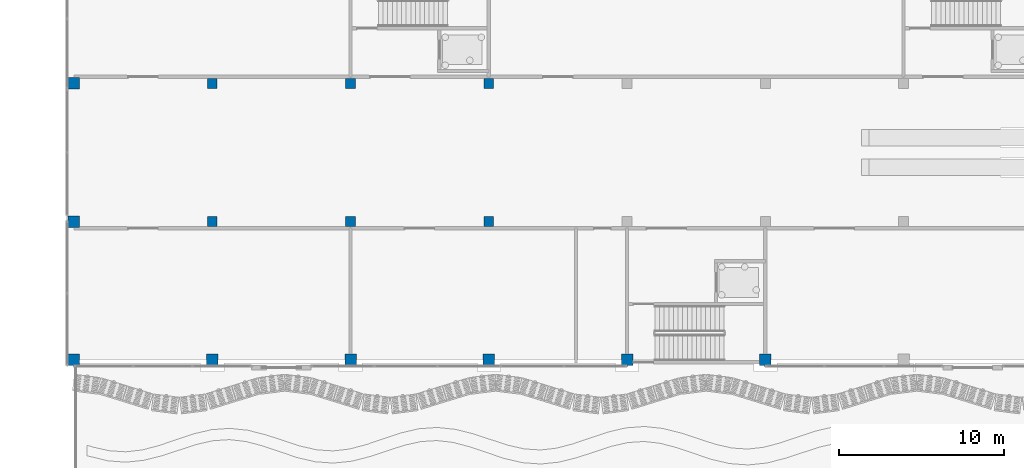
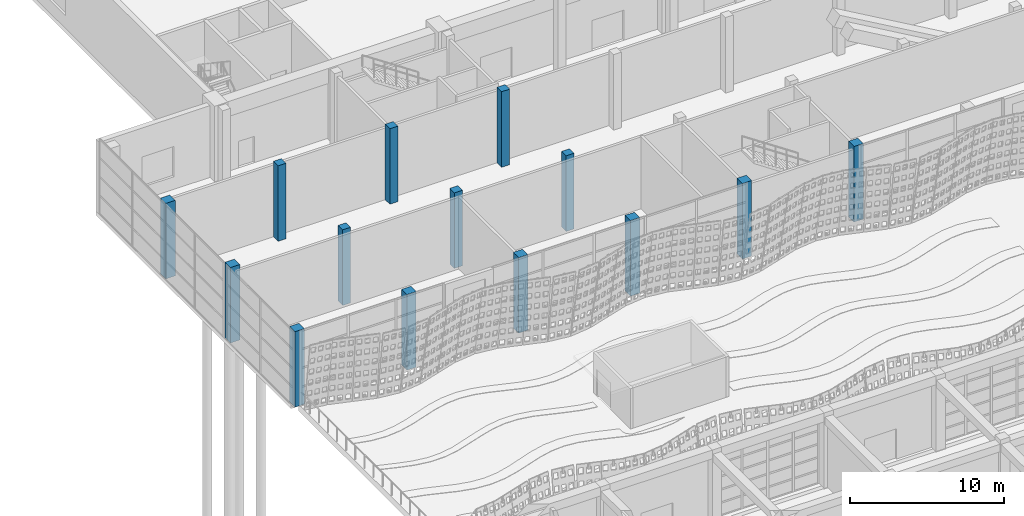
# One storey, part 8 of 210: 14 columns.
"""IFC4 building model written with IfcOpenShell, lengths in metres."""

import ifcopenshell
import ifcopenshell.guid

model = None  # the IFC model being written
_history = None  # IfcOwnerHistory: only IFC2X3 demands one
_inside = {}  # id of a spatial element -> (the spatial element, [elements in it])
_under = {}  # id of a project, library or spatial element -> (it, [spatial elements below it])
_declared = {}  # id of a project -> (the project, [libraries it declares])
_typed = {}  # id of a type object -> (the type object, [elements of that type])
_made_of = {}  # id of a material, layer set ... -> (it, [elements and type objects made of it])


def new_model(schema):
    """Start an empty IFC model of exactly this schema.

    Asked for "IFC4X3", IfcOpenShell would pick the latest addendum, in which some entities
    have other attributes; the version numbers below select the first issue.
    IFC2X3 requires an IfcOwnerHistory on every rooted entity: one is made here for all.
    """
    global model, _history
    if schema == "IFC4X3":
        model = ifcopenshell.file(schema_version=(4, 3, 0, 0))
    else:
        model = ifcopenshell.file(schema=schema)
    _inside.clear()
    _under.clear()
    _declared.clear()
    _typed.clear()
    _made_of.clear()
    _history = None
    if model.schema == "IFC2X3":
        org = make("IfcOrganization", Name="unknown")
        user = make(
            "IfcPersonAndOrganization",
            ThePerson=make("IfcPerson", FamilyName="unknown"),
            TheOrganization=org,
        )
        app = make(
            "IfcApplication",
            ApplicationDeveloper=org,
            Version="unknown",
            ApplicationFullName="unknown",
            ApplicationIdentifier="unknown",
        )
        _history = make(
            "IfcOwnerHistory",
            OwningUser=user,
            OwningApplication=app,
            ChangeAction="ADDED",
            CreationDate=0,
        )
    return model


def make(cls, **values):
    """One entity of the class cls with the attributes given. An attribute that is None is left unset."""
    return model.create_entity(
        cls, **{name: value for name, value in values.items() if value is not None}
    )


def rooted(cls, **values):
    """An entity with a GlobalId (a new one), such as an element, a storey or a relation."""
    return make(cls, GlobalId=ifcopenshell.guid.new(), OwnerHistory=_history, **values)


def si_unit(unit_type, name, prefix=None):
    """IfcSIUnit, for example si_unit("LENGTHUNIT", "METRE", prefix="MILLI")."""
    return make("IfcSIUnit", UnitType=unit_type, Prefix=prefix, Name=name)


def assignment(units):
    """IfcUnitAssignment: the units of a project."""
    return None if units is None else make("IfcUnitAssignment", Units=units)


def point(xyz):
    """IfcCartesianPoint."""
    return None if xyz is None else make("IfcCartesianPoint", Coordinates=xyz)


def direction(xyz):
    """IfcDirection."""
    return None if xyz is None else make("IfcDirection", DirectionRatios=xyz)


def frame(location, z_axis=None, x_axis=None):
    """IfcAxis2Placement3D, a coordinate frame: its origin and axes. An axis left out is left unset."""
    return make(
        "IfcAxis2Placement3D",
        Location=point(location),
        Axis=direction(z_axis),
        RefDirection=direction(x_axis),
    )


def frame_2d(location, x_axis=None):
    """IfcAxis2Placement2D, a coordinate frame in the plane: its origin and x axis."""
    return make(
        "IfcAxis2Placement2D", Location=point(location), RefDirection=direction(x_axis)
    )


def origin():
    """The frame at (0, 0, 0) with its axes left unset."""
    return frame((0.0, 0.0, 0.0))


def origin_2d():
    """The frame at (0, 0) in the plane with its x axis left unset."""
    return frame_2d((0.0, 0.0))


def place(relative_to, where):
    """IfcLocalPlacement: puts the frame where relative to a parent placement (None: the world)."""
    return make(
        "IfcLocalPlacement", PlacementRelTo=relative_to, RelativePlacement=where
    )


def context(
    kind, dimensions, precision=None, world=None, true_north=None, identifier=None
):
    """IfcGeometricRepresentationContext, for example the 3D "Model" context."""
    return make(
        "IfcGeometricRepresentationContext",
        ContextIdentifier=identifier,
        ContextType=kind,
        CoordinateSpaceDimension=dimensions,
        Precision=precision,
        WorldCoordinateSystem=world,
        TrueNorth=true_north,
    )


def subcontext(parent, identifier, kind, view, scale=None):
    """IfcGeometricRepresentationSubContext, for example "Body" below "Model"."""
    return make(
        "IfcGeometricRepresentationSubContext",
        ContextIdentifier=identifier,
        ContextType=kind,
        ParentContext=parent,
        TargetScale=scale,
        TargetView=view,
    )


def project(units=None, contexts=None):
    """IfcProject with its units and contexts."""
    return rooted(
        "IfcProject",
        Name="project",
        RepresentationContexts=contexts,
        UnitsInContext=assignment(units),
    )


def spatial(cls, under=None, at=None, **own):
    """A site, building, storey or space (cls), placed at a placement, below another one or the project."""
    s = rooted(cls, ObjectPlacement=at, **own)
    if under is not None:
        _under.setdefault(under.id(), (under, []))[1].append(s)
    return s


def profile(cls, at=None, kind="AREA", **sizes):
    """A parametric profile (cls). Its sizes go by their IFC names, for example OverallWidth=200.0."""
    return make(cls, ProfileType=kind, Position=at, **sizes)


def rectangle(**sizes):
    """IfcRectangleProfileDef."""
    return profile("IfcRectangleProfileDef", **sizes)


def extrude(swept, where, along, depth):
    """IfcExtrudedAreaSolid: the profile swept, set in the frame where, extruded along a direction by depth."""
    return make(
        "IfcExtrudedAreaSolid",
        SweptArea=swept,
        Position=where,
        ExtrudedDirection=direction(along),
        Depth=depth,
    )


def shape(context_of_items, identifier, shape_type, items):
    """IfcShapeRepresentation: the items that make up one representation, for example the "Body"."""
    return make(
        "IfcShapeRepresentation",
        ContextOfItems=context_of_items,
        RepresentationIdentifier=identifier,
        RepresentationType=shape_type,
        Items=items,
    )


def material(Name=None, Category=None):
    """IfcMaterial."""
    return make("IfcMaterial", Name=Name, Category=Category)


def material_profile(
    of_material, cross_section, Name=None, Category=None, Priority=None
):
    """IfcMaterialProfile: a cross section and its material."""
    return make(
        "IfcMaterialProfile",
        Name=Name,
        Material=of_material,
        Profile=cross_section,
        Priority=Priority,
        Category=Category,
    )


def profile_set(profiles, Name=None, composite=None):
    """IfcMaterialProfileSet."""
    return make(
        "IfcMaterialProfileSet",
        Name=Name,
        MaterialProfiles=profiles,
        CompositeProfile=composite,
    )


def made_of(thing, what):
    """Note that an element or type object is made of a material, layer set ...; save() writes the relation."""
    if what is not None:
        _made_of.setdefault(what.id(), (what, []))[1].append(thing)
    return thing


def type_object(cls, material=None, **own):
    """A type object (cls), such as IfcWallType, which elements share."""
    return made_of(rooted(cls, **own), material)


def element(
    cls,
    number,
    at=None,
    inside=None,
    cuts=None,
    type_object=None,
    material=None,
    context=None,
    identifier="Body",
    shape_type=None,
    held_by="IfcProductDefinitionShape",
    body=None,
    shapes=None,
    **own,
):
    """One element of the class cls, such as IfcWall. Its Tag is "e" and its number.

    at: its placement. inside: the storey or other place that contains it. cuts: it is an
    opening in that element (IfcRelVoidsElement). A single representation is given by context,
    identifier, shape_type and body (its items); several are given by shapes. held_by: the class
    of the entity that holds the representations. save() writes the other relations.
    """
    e = rooted(cls, Tag="e%d" % number, ObjectPlacement=at, **own)
    if body is not None:
        shapes = [shape(context, identifier, shape_type, body)]
    if shapes is not None:
        e.Representation = make(held_by, Representations=shapes)
    if inside is not None:
        _inside.setdefault(inside.id(), (inside, []))[1].append(e)
    if cuts is not None:
        rooted(
            "IfcRelVoidsElement", RelatingBuildingElement=cuts, RelatedOpeningElement=e
        )
    if type_object is not None:
        _typed.setdefault(type_object.id(), (type_object, []))[1].append(e)
    return made_of(e, material)


def aggregate(whole, parts):
    """IfcRelAggregates: a whole, such as a stair, and the parts it consists of."""
    return rooted("IfcRelAggregates", RelatingObject=whole, RelatedObjects=parts)


def save(model, path):
    """Write the relations noted so far, then the file.

    IfcRelAggregates (storeys below a building ...), IfcRelContainedInSpatialStructure (elements
    in a storey), IfcRelDefinesByType, IfcRelAssociatesMaterial and IfcRelDeclares: one each for
    every whole, place, type object, material and project.
    """
    for whole, parts in _under.values():
        aggregate(whole, parts)
    for where, things in _inside.values():
        rooted(
            "IfcRelContainedInSpatialStructure",
            RelatedElements=things,
            RelatingStructure=where,
        )
    for kind, things in _typed.values():
        rooted("IfcRelDefinesByType", RelatedObjects=things, RelatingType=kind)
    for what, things in _made_of.values():
        rooted("IfcRelAssociatesMaterial", RelatedObjects=things, RelatingMaterial=what)
    for by, libraries in _declared.values():
        rooted("IfcRelDeclares", RelatingContext=by, RelatedDefinitions=libraries)
    model.write(path)


model = new_model("IFC4")

# Units and contexts
model_context = context("Model", 3, precision=1e-05, world=origin(), true_north=direction((0.0, 1.0)))
body_context = subcontext(model_context, "Body", "Model", "MODEL_VIEW")
ifc_project = project(units=[si_unit("LENGTHUNIT", "METRE"), si_unit("AREAUNIT", "SQUARE_METRE"), si_unit("VOLUMEUNIT", "CUBIC_METRE"), si_unit("PLANEANGLEUNIT", "RADIAN"), si_unit("MASSUNIT", "GRAM", prefix="KILO")], contexts=[model_context])

# Site, building, storey
site_placement = place(None, origin())
site = spatial("IfcSite", under=ifc_project, at=site_placement, CompositionType="ELEMENT")
building_placement = place(site_placement, origin())
building = spatial("IfcBuilding", under=site, at=building_placement, Name="Rain Tree Exposition and Congress Centre", CompositionType="ELEMENT")
storey_placement = place(building_placement, origin())
storey = spatial("IfcBuildingStorey", under=building, at=storey_placement, Name="L00", CompositionType="ELEMENT", Elevation=0.0)

# Columns
ifc_material_1 = material(Name="Precast concrete C50/60", Category="concrete")
ifc_material_profile_1 = material_profile(ifc_material_1, rectangle(XDim=0.60009765625, YDim=0.60009765625, at=origin_2d()), Name="RC 600x600")
ifc_profile_set_1 = profile_set([ifc_material_profile_1], Name="Precast concrete C50/60")
column_type_1 = type_object("IfcColumnType", Name="Precast column 600x600", PredefinedType="COLUMN", material=ifc_profile_set_1)
for number, where, z_axis, x_axis, name in (
    (1, (8.39990234375, 84.0, 0.0), (0.0, 0.0, 1.0), (1.0, 0.0, 0.0), "Concourse column L00 B2"),
    (2, (16.800048828125, 84.0, 0.0), (0.0, 0.0, 1.0), (1.0, 0.0, 0.0), "Concourse column L00 B3"),
    (3, (25.199951171875, 84.0, 0.0), (0.0, 0.0, 1.0), (1.0, 0.0, 0.0), "Concourse column L00 B4"),
    (4, (8.39990234375, 92.39990234375, 0.0), (0.0, 0.0, 1.0), (1.0, 0.0, 0.0), "Concourse column L00 C2"),
    (5, (16.800048828125, 92.39990234375, 0.0), (0.0, 0.0, 1.0), (1.0, 0.0, 0.0), "Concourse column L00 C3"),
    (6, (25.199951171875, 92.39990234375, 0.0), (0.0, 0.0, 1.0), (1.0, 0.0, 0.0), "Concourse column L00 C4"),
):
    element("IfcColumn", number, at=place(storey_placement, frame(where, z_axis=z_axis, x_axis=x_axis)), inside=storey, type_object=column_type_1, Name=name, PredefinedType="COLUMN", context=body_context, shape_type="SweptSolid", body=[
        extrude(rectangle(XDim=0.60009765625, YDim=0.60009765625, at=origin_2d()), origin(), (0.0, 0.0, 1.0), 6.0),
    ])
ifc_material_2 = material(Name="Precast concrete C50/60", Category="concrete")
ifc_material_profile_2 = material_profile(ifc_material_2, rectangle(XDim=0.699951171875, YDim=0.699951171875, at=origin_2d()), Name="RC 700x700")
ifc_profile_set_2 = profile_set([ifc_material_profile_2], Name="Precast concrete C50/60")
column_type_2 = type_object("IfcColumnType", Name="Precast column 700x700", PredefinedType="COLUMN", material=ifc_profile_set_2)
for number, where, z_axis, x_axis, name in (
    (7, (0.0, 75.60009765625, 0.0), (0.0, 0.0, 1.0), (1.0, 0.0, 0.0), "Concourse column L00 A1"),
    (8, (8.39990234375, 75.60009765625, 0.0), (0.0, 0.0, 1.0), (1.0, 0.0, 0.0), "Concourse column L00 A2"),
    (9, (16.800048828125, 75.60009765625, 0.0), (0.0, 0.0, 1.0), (1.0, 0.0, 0.0), "Concourse column L00 A3"),
    (10, (25.199951171875, 75.60009765625, 0.0), (0.0, 0.0, 1.0), (1.0, 0.0, 0.0), "Concourse column L00 A4"),
    (11, (33.60009765625, 75.60009765625, 0.0), (0.0, 0.0, 1.0), (1.0, 0.0, 0.0), "Concourse column L00 A5"),
    (12, (42.0, 75.60009765625, 0.0), (0.0, 0.0, 1.0), (1.0, 0.0, 0.0), "Concourse column L00 A6"),
    (13, (0.0, 84.0, 0.0), (0.0, 0.0, 1.0), (1.0, 0.0, 0.0), "Concourse column L00 B1"),
    (14, (0.0, 92.39990234375, 0.0), (0.0, 0.0, 1.0), (1.0, 0.0, 0.0), "Concourse column L00 C1"),
):
    element("IfcColumn", number, at=place(storey_placement, frame(where, z_axis=z_axis, x_axis=x_axis)), inside=storey, type_object=column_type_2, Name=name, PredefinedType="COLUMN", context=body_context, shape_type="SweptSolid", body=[
        extrude(rectangle(XDim=0.699951171875, YDim=0.699951171875, at=origin_2d()), origin(), (0.0, 0.0, 1.0), 6.0),
    ])

save(model, "model.ifc")
